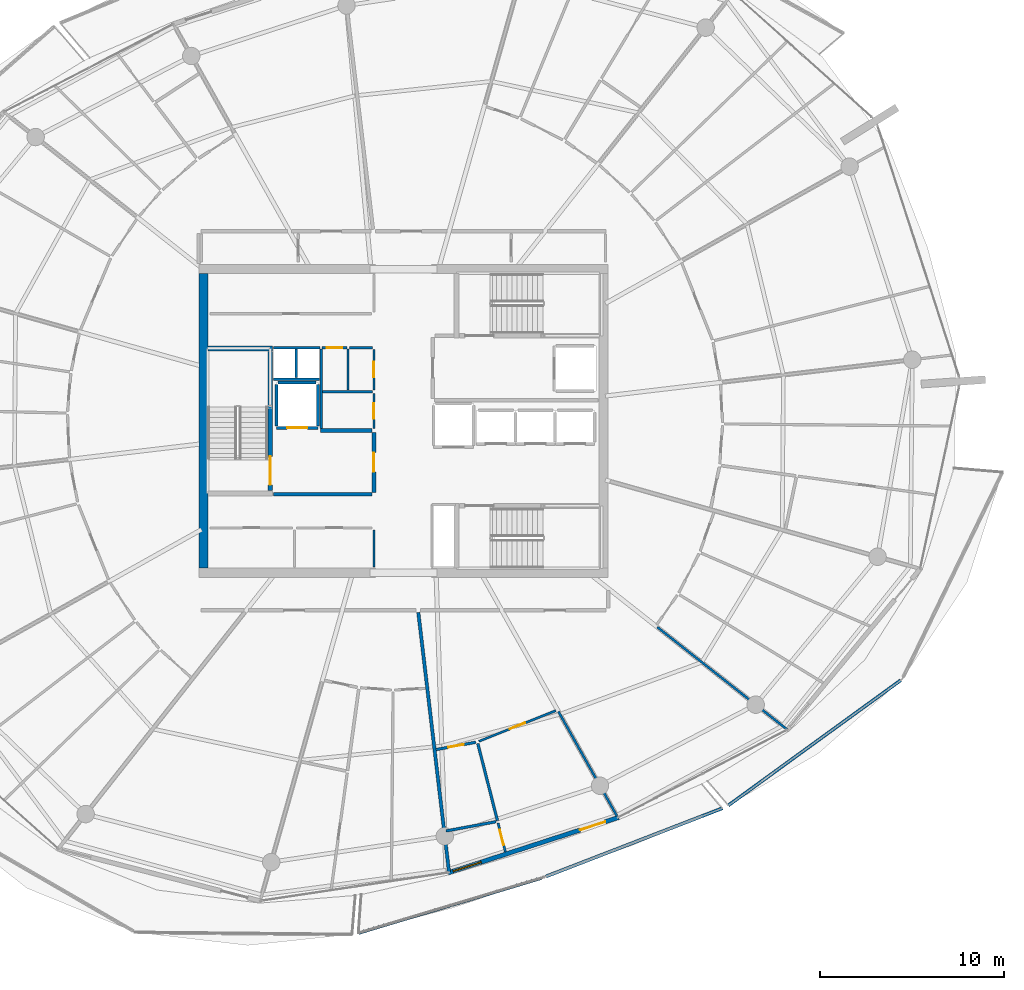
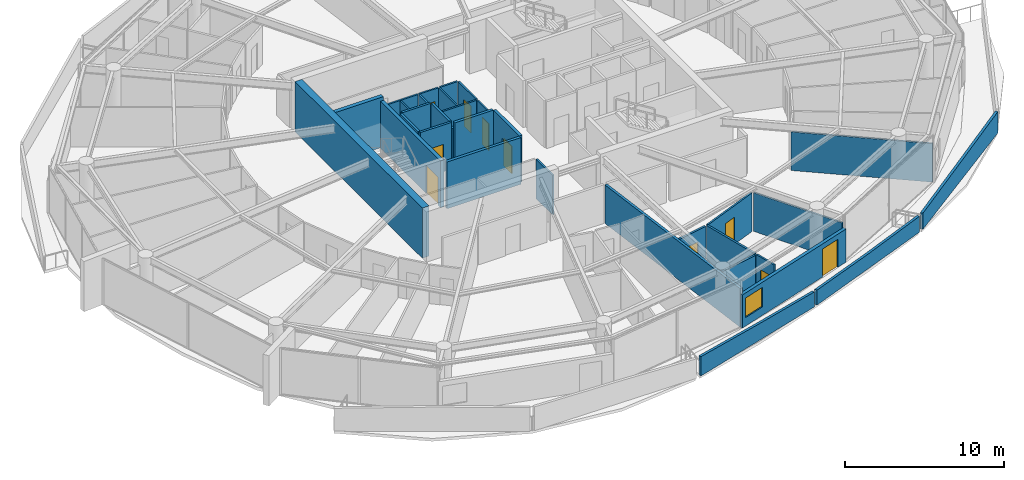
# One storey, part 19 of 31: 33 walls, 10 doors, 1 window, 11 openings.
"""IFC4 building model written with IfcOpenShell, lengths in metres."""

import ifcopenshell
import ifcopenshell.guid

model = None  # the IFC model being written
_history = None  # IfcOwnerHistory: only IFC2X3 demands one
_inside = {}  # id of a spatial element -> (the spatial element, [elements in it])
_under = {}  # id of a project, library or spatial element -> (it, [spatial elements below it])
_declared = {}  # id of a project -> (the project, [libraries it declares])
_typed = {}  # id of a type object -> (the type object, [elements of that type])
_made_of = {}  # id of a material, layer set ... -> (it, [elements and type objects made of it])


def new_model(schema):
    """Start an empty IFC model of exactly this schema.

    Asked for "IFC4X3", IfcOpenShell would pick the latest addendum, in which some entities
    have other attributes; the version numbers below select the first issue.
    IFC2X3 requires an IfcOwnerHistory on every rooted entity: one is made here for all.
    """
    global model, _history
    if schema == "IFC4X3":
        model = ifcopenshell.file(schema_version=(4, 3, 0, 0))
    else:
        model = ifcopenshell.file(schema=schema)
    _inside.clear()
    _under.clear()
    _declared.clear()
    _typed.clear()
    _made_of.clear()
    _history = None
    if model.schema == "IFC2X3":
        org = make("IfcOrganization", Name="unknown")
        user = make(
            "IfcPersonAndOrganization",
            ThePerson=make("IfcPerson", FamilyName="unknown"),
            TheOrganization=org,
        )
        app = make(
            "IfcApplication",
            ApplicationDeveloper=org,
            Version="unknown",
            ApplicationFullName="unknown",
            ApplicationIdentifier="unknown",
        )
        _history = make(
            "IfcOwnerHistory",
            OwningUser=user,
            OwningApplication=app,
            ChangeAction="ADDED",
            CreationDate=0,
        )
    return model


def make(cls, **values):
    """One entity of the class cls with the attributes given. An attribute that is None is left unset."""
    return model.create_entity(
        cls, **{name: value for name, value in values.items() if value is not None}
    )


def rooted(cls, **values):
    """An entity with a GlobalId (a new one), such as an element, a storey or a relation."""
    return make(cls, GlobalId=ifcopenshell.guid.new(), OwnerHistory=_history, **values)


def si_unit(unit_type, name, prefix=None):
    """IfcSIUnit, for example si_unit("LENGTHUNIT", "METRE", prefix="MILLI")."""
    return make("IfcSIUnit", UnitType=unit_type, Prefix=prefix, Name=name)


def assignment(units):
    """IfcUnitAssignment: the units of a project."""
    return None if units is None else make("IfcUnitAssignment", Units=units)


def point(xyz):
    """IfcCartesianPoint."""
    return None if xyz is None else make("IfcCartesianPoint", Coordinates=xyz)


def direction(xyz):
    """IfcDirection."""
    return None if xyz is None else make("IfcDirection", DirectionRatios=xyz)


def frame(location, z_axis=None, x_axis=None):
    """IfcAxis2Placement3D, a coordinate frame: its origin and axes. An axis left out is left unset."""
    return make(
        "IfcAxis2Placement3D",
        Location=point(location),
        Axis=direction(z_axis),
        RefDirection=direction(x_axis),
    )


def frame_2d(location, x_axis=None):
    """IfcAxis2Placement2D, a coordinate frame in the plane: its origin and x axis."""
    return make(
        "IfcAxis2Placement2D", Location=point(location), RefDirection=direction(x_axis)
    )


def origin():
    """The frame at (0, 0, 0) with its axes left unset."""
    return frame((0.0, 0.0, 0.0))


def place(relative_to, where):
    """IfcLocalPlacement: puts the frame where relative to a parent placement (None: the world)."""
    return make(
        "IfcLocalPlacement", PlacementRelTo=relative_to, RelativePlacement=where
    )


def context(
    kind, dimensions, precision=None, world=None, true_north=None, identifier=None
):
    """IfcGeometricRepresentationContext, for example the 3D "Model" context."""
    return make(
        "IfcGeometricRepresentationContext",
        ContextIdentifier=identifier,
        ContextType=kind,
        CoordinateSpaceDimension=dimensions,
        Precision=precision,
        WorldCoordinateSystem=world,
        TrueNorth=true_north,
    )


def subcontext(parent, identifier, kind, view, scale=None):
    """IfcGeometricRepresentationSubContext, for example "Body" below "Model"."""
    return make(
        "IfcGeometricRepresentationSubContext",
        ContextIdentifier=identifier,
        ContextType=kind,
        ParentContext=parent,
        TargetScale=scale,
        TargetView=view,
    )


def project(units=None, contexts=None):
    """IfcProject with its units and contexts."""
    return rooted(
        "IfcProject",
        Name="project",
        RepresentationContexts=contexts,
        UnitsInContext=assignment(units),
    )


def spatial(cls, under=None, at=None, **own):
    """A site, building, storey or space (cls), placed at a placement, below another one or the project."""
    s = rooted(cls, ObjectPlacement=at, **own)
    if under is not None:
        _under.setdefault(under.id(), (under, []))[1].append(s)
    return s


def polyline(points):
    """IfcPolyline through the points."""
    return make("IfcPolyline", Points=[point(p) for p in points])


def profile(cls, at=None, kind="AREA", **sizes):
    """A parametric profile (cls). Its sizes go by their IFC names, for example OverallWidth=200.0."""
    return make(cls, ProfileType=kind, Position=at, **sizes)


def rectangle(**sizes):
    """IfcRectangleProfileDef."""
    return profile("IfcRectangleProfileDef", **sizes)


def outline(outer, holes=None, kind="AREA"):
    """IfcArbitraryClosedProfileDef: a profile drawn as a closed curve; with holes, ...WithVoids."""
    if holes is None:
        return make("IfcArbitraryClosedProfileDef", ProfileType=kind, OuterCurve=outer)
    return make(
        "IfcArbitraryProfileDefWithVoids",
        ProfileType=kind,
        OuterCurve=outer,
        InnerCurves=holes,
    )


def extrude(swept, where, along, depth):
    """IfcExtrudedAreaSolid: the profile swept, set in the frame where, extruded along a direction by depth."""
    return make(
        "IfcExtrudedAreaSolid",
        SweptArea=swept,
        Position=where,
        ExtrudedDirection=direction(along),
        Depth=depth,
    )


def shape(context_of_items, identifier, shape_type, items):
    """IfcShapeRepresentation: the items that make up one representation, for example the "Body"."""
    return make(
        "IfcShapeRepresentation",
        ContextOfItems=context_of_items,
        RepresentationIdentifier=identifier,
        RepresentationType=shape_type,
        Items=items,
    )


def material(Name=None, Category=None):
    """IfcMaterial."""
    return make("IfcMaterial", Name=Name, Category=Category)


def layer(
    of_material, thickness, ventilated=None, Name=None, Category=None, Priority=None
):
    """IfcMaterialLayer: one layer of a wall or slab, of a material (None: an air gap)."""
    return make(
        "IfcMaterialLayer",
        Material=of_material,
        LayerThickness=thickness,
        IsVentilated=ventilated,
        Name=Name,
        Category=Category,
        Priority=Priority,
    )


def layer_set(layers, Name=None):
    """IfcMaterialLayerSet."""
    return make("IfcMaterialLayerSet", MaterialLayers=layers, LayerSetName=Name)


def made_of(thing, what):
    """Note that an element or type object is made of a material, layer set ...; save() writes the relation."""
    if what is not None:
        _made_of.setdefault(what.id(), (what, []))[1].append(thing)
    return thing


def type_object(cls, material=None, **own):
    """A type object (cls), such as IfcWallType, which elements share."""
    return made_of(rooted(cls, **own), material)


def element(
    cls,
    number,
    at=None,
    inside=None,
    cuts=None,
    type_object=None,
    material=None,
    context=None,
    identifier="Body",
    shape_type=None,
    held_by="IfcProductDefinitionShape",
    body=None,
    shapes=None,
    **own,
):
    """One element of the class cls, such as IfcWall. Its Tag is "e" and its number.

    at: its placement. inside: the storey or other place that contains it. cuts: it is an
    opening in that element (IfcRelVoidsElement). A single representation is given by context,
    identifier, shape_type and body (its items); several are given by shapes. held_by: the class
    of the entity that holds the representations. save() writes the other relations.
    """
    e = rooted(cls, Tag="e%d" % number, ObjectPlacement=at, **own)
    if body is not None:
        shapes = [shape(context, identifier, shape_type, body)]
    if shapes is not None:
        e.Representation = make(held_by, Representations=shapes)
    if inside is not None:
        _inside.setdefault(inside.id(), (inside, []))[1].append(e)
    if cuts is not None:
        rooted(
            "IfcRelVoidsElement", RelatingBuildingElement=cuts, RelatedOpeningElement=e
        )
    if type_object is not None:
        _typed.setdefault(type_object.id(), (type_object, []))[1].append(e)
    return made_of(e, material)


def fill(opening, filler):
    """IfcRelFillsElement: the door or window that sits in an opening."""
    return rooted(
        "IfcRelFillsElement",
        RelatingOpeningElement=opening,
        RelatedBuildingElement=filler,
    )


def aggregate(whole, parts):
    """IfcRelAggregates: a whole, such as a stair, and the parts it consists of."""
    return rooted("IfcRelAggregates", RelatingObject=whole, RelatedObjects=parts)


def save(model, path):
    """Write the relations noted so far, then the file.

    IfcRelAggregates (storeys below a building ...), IfcRelContainedInSpatialStructure (elements
    in a storey), IfcRelDefinesByType, IfcRelAssociatesMaterial and IfcRelDeclares: one each for
    every whole, place, type object, material and project.
    """
    for whole, parts in _under.values():
        aggregate(whole, parts)
    for where, things in _inside.values():
        rooted(
            "IfcRelContainedInSpatialStructure",
            RelatedElements=things,
            RelatingStructure=where,
        )
    for kind, things in _typed.values():
        rooted("IfcRelDefinesByType", RelatedObjects=things, RelatingType=kind)
    for what, things in _made_of.values():
        rooted("IfcRelAssociatesMaterial", RelatedObjects=things, RelatingMaterial=what)
    for by, libraries in _declared.values():
        rooted("IfcRelDeclares", RelatingContext=by, RelatedDefinitions=libraries)
    model.write(path)


model = new_model("IFC4")

# Units and contexts
model_context = context("Model", 3, precision=1e-05, world=origin(), true_north=direction((0.0, 1.0)))
body_context = subcontext(model_context, "Body", "Model", "MODEL_VIEW")
ifc_project = project(units=[si_unit("LENGTHUNIT", "METRE"), si_unit("AREAUNIT", "SQUARE_METRE"), si_unit("VOLUMEUNIT", "CUBIC_METRE"), si_unit("PLANEANGLEUNIT", "RADIAN"), si_unit("MASSUNIT", "GRAM", prefix="KILO")], contexts=[model_context])

# Site, building, storey
site_placement = place(None, origin())
site = spatial("IfcSite", under=ifc_project, at=site_placement, CompositionType="ELEMENT")
building_placement = place(site_placement, origin())
building = spatial("IfcBuilding", under=site, at=building_placement, Name="Kazma Halo Residences", CompositionType="ELEMENT")
storey_placement = place(building_placement, frame((0.0, 0.0, 275.199951171875)))
storey = spatial("IfcBuildingStorey", under=building, at=storey_placement, Name="L69", CompositionType="ELEMENT", Elevation=275.199951171875)

# Walls
ifc_material_1 = material(Name="White Concrete C50/60 Balustrade", Category="concrete")
ifc_layer_1 = layer(ifc_material_1, 0.179931640625)
ifc_layer_set_1 = layer_set([ifc_layer_1], Name="White Concrete C50/60 Balustrade")
wall_type_1 = type_object("IfcWallType", Name="WL-BAL-WAVE-180", PredefinedType="PARAPET", material=ifc_layer_set_1)
wall_1_placement = place(storey_placement, frame((45.980224609375, 14.16357421875, 0.0), z_axis=(0.0, 0.0, 1.0), x_axis=(0.957650459476, 0.287933321214, 0.0)))
element("IfcWall", 1, at=wall_1_placement, inside=storey, type_object=wall_type_1, Name="L69 white wave balustrade wall SSE.1", PredefinedType="PARAPET", context=body_context, shape_type="SweptSolid", body=[
    extrude(outline(polyline([(0.0, 0.0), (10.405517578125, 0.0), (10.405517578125, 1.14794921875), (5.20263671875, 1.283935546875), (0.0, 1.483154296875), (0.0, 0.0)])), frame((0.0, 0.08984375, 0.0), z_axis=(0.0, -1.0, 0.0), x_axis=(1.0, 0.0, 0.0)), (0.0, 0.0, 1.0), 0.179931640625),
])
wall_2_placement = place(storey_placement, frame((56.171875, 17.237548828125, 0.0), z_axis=(0.0, 0.0, 1.0), x_axis=(0.9326848715, 0.36069229334, 0.0)))
element("IfcWall", 2, at=wall_2_placement, inside=storey, type_object=wall_type_1, Name="L69 white wave balustrade wall SSE.2", PredefinedType="PARAPET", context=body_context, shape_type="SweptSolid", body=[
    extrude(outline(polyline([(0.0, 0.0), (10.281005859375, 0.0), (10.281005859375, 1.22412109375), (5.140380859375, 1.126953125), (0.0, 1.14794921875), (0.0, 0.0)])), frame((0.0, 0.08984375, 0.0), z_axis=(0.0, -1.0, 0.0), x_axis=(1.0, 0.0, 0.0)), (0.0, 0.0, 1.0), 0.179931640625),
])
wall_3_placement = place(storey_placement, frame((66.076416015625, 21.09521484375, 0.0), z_axis=(0.0, 0.0, 1.0), x_axis=(0.809261043527, 0.587449200722, 0.0)))
element("IfcWall", 3, at=wall_3_placement, inside=storey, type_object=wall_type_1, Name="L69 white wave balustrade wall SE.1", PredefinedType="PARAPET", context=body_context, shape_type="SweptSolid", body=[
    extrude(outline(polyline([(0.0, 0.0), (11.576904296875, 0.0), (11.576904296875, 1.632080078125), (5.788330078125, 1.41796875), (0.0, 1.233154296875), (0.0, 0.0)])), frame((0.0, 0.08984375, 0.0), z_axis=(0.0, -1.0, 0.0), x_axis=(1.0, 0.0, 0.0)), (0.0, 0.0, 1.0), 0.179931640625),
])
ifc_material_2 = material(Name="Concrete C60/75", Category="concrete")
ifc_layer_2 = layer(ifc_material_2, 0.5)
ifc_layer_set_2 = layer_set([ifc_layer_2], Name="Concrete C60/75")
wall_type_2 = type_object("IfcWallType", Name="WL-CORE-500", PredefinedType="SHEAR", material=ifc_layer_set_2)
wall_4_placement = place(storey_placement, frame((37.550048828125, 34.0, 0.0), z_axis=(0.0, 0.0, 1.0), x_axis=(0.0, 1.0, 0.0)))
element("IfcWall", 4, at=wall_4_placement, inside=storey, type_object=wall_type_2, Name="L69 central core shear wall W", PredefinedType="SHEAR", context=body_context, shape_type="SweptSolid", body=[
    extrude(rectangle(XDim=16.0, YDim=0.5, at=frame_2d((8.0, 0.0))), origin(), (0.0, 0.0, 1.0), 3.85009765625),
])
ifc_layer_3 = layer(ifc_material_2, 0.280029296875)
ifc_layer_set_3 = layer_set([ifc_layer_3], Name="Concrete C60/75")
wall_type_3 = type_object("IfcWallType", Name="WL-CORE-ST-280", PredefinedType="SHEAR", material=ifc_layer_set_3)
wall_5_placement = place(storey_placement, frame((37.800048828125, 45.93994140625, 0.0), z_axis=(0.0, 0.0, 1.0), x_axis=(1.0, 0.0, 0.0)))
element("IfcWall", 5, at=wall_5_placement, inside=storey, type_object=wall_type_3, Name="L69 stairwell bearing wall ST01-N", PredefinedType="SHEAR", context=body_context, shape_type="SweptSolid", body=[
    extrude(rectangle(XDim=3.5, YDim=0.280029296875, at=frame_2d((1.75, 0.0))), origin(), (0.0, 0.0, 1.0), 3.85009765625),
])
ifc_material_3 = material(Name="Acoustic Twin-Stud Gypsum")
ifc_layer_4 = layer(ifc_material_3, 0.179931640625)
ifc_layer_set_4 = layer_set([ifc_layer_4], Name="Acoustic Twin-Stud Gypsum")
wall_type_4 = type_object("IfcWallType", Name="WL-DEM-180", PredefinedType="PARTITIONING", material=ifc_layer_set_4)
wall_6_placement = place(storey_placement, frame((49.23193359375, 31.5908203125, 0.0), z_axis=(0.0, 0.0, 1.0), x_axis=(0.117545848714, -0.993067456646, 0.0)))
element("IfcWall", 6, at=wall_6_placement, inside=storey, type_object=wall_type_4, Name="L69 apartment demising radial wall 11", PredefinedType="PARTITIONING", context=body_context, shape_type="SweptSolid", body=[
    extrude(rectangle(XDim=14.212890625, YDim=0.179931640625, at=frame_2d((7.1064453125, 0.0))), origin(), (0.0, 0.0, 1.0), 2.95703125),
])

# Wall, openings, door, window
ifc_material_4 = material(Name="Insulated Pale-Metal Composite Wall")
ifc_layer_5 = layer(ifc_material_4, 0.239990234375)
ifc_layer_set_5 = layer_set([ifc_layer_5], Name="Insulated Pale-Metal Composite Wall")
wall_type_5 = type_object("IfcWallType", Name="WL-EXT-HOST-240", PredefinedType="SOLIDWALL", material=ifc_layer_set_5)
wall_7_placement = place(storey_placement, frame((50.85791015625, 17.436279296875, 0.0), z_axis=(0.0, 0.0, 1.0), x_axis=(0.951055974609, 0.309018661507, 0.0)))
wall_7 = element("IfcWall", 7, at=wall_7_placement, inside=storey, type_object=wall_type_5, Name="L69 exterior terrace-access wall B12", PredefinedType="SOLIDWALL", context=body_context, shape_type="SweptSolid", body=[
    extrude(rectangle(XDim=9.745361328125, YDim=0.239990234375, at=frame_2d((4.87255859375, 0.0))), origin(), (0.0, 0.0, 1.0), 2.5400390625),
])
opening_1_placement = place(wall_7_placement, frame((7.525390625, 0.0, 0.0)))
opening_1 = element("IfcOpeningElement", 8, at=opening_1_placement, cuts=wall_7, Name="Opening DTR-1600", PredefinedType="OPENING", context=body_context, shape_type="SweptSolid", body=[
    extrude(rectangle(XDim=1.449951171875, YDim=2.14990234375, at=frame_2d((0.72509765625, 1.074951171875))), frame((0.0, 0.1298828125, 0.0), z_axis=(0.0, -1.0, 0.0), x_axis=(1.0, 0.0, 0.0)), (0.0, 0.0, 1.0), 0.260009765625),
])
opening_2_placement = place(wall_7_placement, frame((0.280029296875, 0.0, 0.64990234375)))
opening_2 = element("IfcOpeningElement", 9, at=opening_2_placement, cuts=wall_7, Name="Opening W-1800", PredefinedType="OPENING", context=body_context, shape_type="SweptSolid", body=[
    extrude(rectangle(XDim=1.60009765625, YDim=1.5, at=frame_2d((0.800048828125, 0.75))), frame((0.0, 0.1298828125, 0.0), z_axis=(0.0, -1.0, 0.0), x_axis=(1.0, 0.0, 0.0)), (0.0, 0.0, 1.0), 0.260009765625),
])
ifc_material_5 = material(Name="Aluminium AW-6063 T6 Double-Glazed Terrace Door", Category="aluminium")
door_type_1 = type_object("IfcDoorType", Name="DR-EXT-TERR-1600", OperationType="NOTDEFINED", PredefinedType="DOOR", material=ifc_material_5)
door_1_placement = place(opening_1_placement, origin())
door_1 = element("IfcDoor", 10, at=door_1_placement, inside=storey, type_object=door_type_1, Name="L69 B12 balcony terrace door", OperationType="DOUBLE_DOOR_SLIDING", OverallHeight=2.14990234375, OverallWidth=1.449951171875, PredefinedType="DOOR", context=body_context, shape_type="SweptSolid", body=[
    extrude(rectangle(XDim=1.449951171875, YDim=2.14990234375, at=frame_2d((0.72509765625, 1.074951171875))), frame((0.0, 0.02490234375, 0.0), z_axis=(0.0, -1.0, 0.0), x_axis=(1.0, 0.0, 0.0)), (0.0, 0.0, 1.0), 0.050048828125),
])
fill(opening_1, door_1)
ifc_material_6 = material(Name="Clear Triple-Silver Low-E Glass in Aluminium AW-6063 T6 Frame", Category="aluminium")
window_type = type_object("IfcWindowType", Name="WIN-RES-1800", PartitioningType="DOUBLE_PANEL_VERTICAL", PredefinedType="WINDOW", material=ifc_material_6)
window_placement = place(opening_2_placement, origin())
window = element("IfcWindow", 11, at=window_placement, inside=storey, type_object=window_type, Name="L69 B12 apartment window", OverallHeight=1.5, OverallWidth=1.60009765625, PartitioningType="SINGLE_PANEL", PredefinedType="WINDOW", context=body_context, shape_type="SweptSolid", body=[
    extrude(rectangle(XDim=1.60009765625, YDim=1.5, at=frame_2d((0.800048828125, 0.75))), frame((0.0, 0.030029296875, 0.0), z_axis=(0.0, -1.0, 0.0), x_axis=(1.0, 0.0, 0.0)), (0.0, 0.0, 1.0), 0.06005859375),
])
fill(opening_2, window)

# Wall, opening, door
ifc_material_7 = material(Name="Fire-Rated Blockwork Masonry", Category="masonry")
ifc_layer_6 = layer(ifc_material_7, 0.199951171875)
ifc_layer_set_6 = layer_set([ifc_layer_6], Name="Fire-Rated Blockwork Masonry")
wall_type_6 = type_object("IfcWallType", Name="WL-FLB-200", PredefinedType="PARTITIONING", material=ifc_layer_set_6)
wall_8_placement = place(storey_placement, frame((43.780029296875, 41.6201171875, 0.0), z_axis=(0.0, 0.0, 1.0), x_axis=(-1.0, 0.0, 0.0)))
wall_8 = element("IfcWall", 12, at=wall_8_placement, inside=storey, type_object=wall_type_6, Name="L69 lift shaft FL-01 front wall", PredefinedType="PARTITIONING", context=body_context, shape_type="SweptSolid", body=[
    extrude(rectangle(XDim=2.260009765625, YDim=0.159912109375, at=frame_2d((1.1298828125, 0.0))), origin(), (0.0, 0.0, 1.0), 3.590087890625),
])
opening_3_placement = place(wall_8_placement, frame((0.580078125, 0.0, 0.0)))
opening_3 = element("IfcOpeningElement", 13, at=opening_3_placement, cuts=wall_8, Name="Opening LD-FL-01", PredefinedType="OPENING", context=body_context, shape_type="SweptSolid", body=[
    extrude(rectangle(XDim=1.10009765625, YDim=2.10009765625, at=frame_2d((0.550048828125, 1.050048828125))), frame((0.0, 0.08984375, 0.0), z_axis=(0.0, -1.0, 0.0), x_axis=(1.0, 0.0, 0.0)), (0.0, 0.0, 1.0), 0.179931640625),
])
ifc_material_8 = material(Name="Stainless Steel Fire-Rated", Category="steel")
door_type_2 = type_object("IfcDoorType", Name="DR-LIFT-SLD-1100", OperationType="DOUBLE_DOOR_SLIDING", PredefinedType="DOOR", material=ifc_material_8)
door_2_placement = place(opening_3_placement, origin())
door_2 = element("IfcDoor", 14, at=door_2_placement, inside=storey, type_object=door_type_2, Name="L69 lift FL-01 sliding landing door", OperationType="DOUBLE_DOOR_SLIDING", OverallHeight=2.10009765625, OverallWidth=1.10009765625, PredefinedType="DOOR", context=body_context, shape_type="SweptSolid", body=[
    extrude(rectangle(XDim=1.10009765625, YDim=2.10009765625, at=frame_2d((0.550048828125, 1.050048828125))), frame((0.0, 0.02490234375, 0.0), z_axis=(0.0, -1.0, 0.0), x_axis=(1.0, 0.0, 0.0)), (0.0, 0.0, 1.0), 0.050048828125),
])
fill(opening_3, door_2)

# Walls
for number, where, z_axis, x_axis, name in (
    (15, (43.780029296875, 41.719970703125, 0.0), (0.0, 0.0, 1.0), (0.0, 1.0, 0.0), "L69 lift shaft FL-01 side wall E"),
    (16, (41.52001953125, 41.719970703125, 0.0), (0.0, 0.0, 1.0), (0.0, 1.0, 0.0), "L69 lift shaft FL-01 side wall W"),
):
    element("IfcWall", number, at=place(storey_placement, frame(where, z_axis=z_axis, x_axis=x_axis)), inside=storey, type_object=wall_type_6, Name=name, PredefinedType="PARTITIONING", context=body_context, shape_type="SweptSolid", body=[
        extrude(rectangle(XDim=2.260009765625, YDim=0.159912109375, at=frame_2d((1.1298828125, 0.0))), origin(), (0.0, 0.0, 1.0), 3.590087890625),
    ])
wall_9_placement = place(storey_placement, frame((41.6201171875, 44.080078125, 0.0), z_axis=(0.0, 0.0, 1.0), x_axis=(1.0, 0.0, 0.0)))
element("IfcWall", 17, at=wall_9_placement, inside=storey, type_object=wall_type_6, Name="L69 lift shaft FL-01 side wall N", PredefinedType="PARTITIONING", context=body_context, shape_type="SweptSolid", body=[
    extrude(rectangle(XDim=2.059814453125, YDim=0.159912109375, at=frame_2d((1.02978515625, 0.0))), origin(), (0.0, 0.0, 1.0), 3.590087890625),
])
wall_10_placement = place(storey_placement, frame((41.35009765625, 38.02001953125, 0.0), z_axis=(0.0, 0.0, 1.0), x_axis=(1.0, 0.0, 0.0)))
element("IfcWall", 18, at=wall_10_placement, inside=storey, type_object=wall_type_6, Name="L69 west firefighting lobby south smoke wall", PredefinedType="PARTITIONING", context=body_context, shape_type="SweptSolid", body=[
    extrude(rectangle(XDim=5.369873046875, YDim=0.199951171875, at=frame_2d((2.68505859375, 0.0))), origin(), (0.0, 0.0, 1.0), 3.590087890625),
])
wall_11_placement = place(storey_placement, frame((43.919921875, 41.47998046875, 0.0), z_axis=(0.0, 0.0, 1.0), x_axis=(1.0, 0.0, 0.0)))
element("IfcWall", 19, at=wall_11_placement, inside=storey, type_object=wall_type_6, Name="L69 west firefighting lobby north smoke wall", PredefinedType="PARTITIONING", context=body_context, shape_type="SweptSolid", body=[
    extrude(rectangle(XDim=2.800048828125, YDim=0.199951171875, at=frame_2d((1.39990234375, 0.0))), origin(), (0.0, 0.0, 1.0), 3.590087890625),
])

# Wall, opening, door
wall_12_placement = place(storey_placement, frame((46.820068359375, 38.1201171875, 0.0), z_axis=(0.0, 0.0, 1.0), x_axis=(0.0, 1.0, 0.0)))
wall_12 = element("IfcWall", 20, at=wall_12_placement, inside=storey, type_object=wall_type_6, Name="L69 west firefighting lobby smoke wall", PredefinedType="PARTITIONING", context=body_context, shape_type="SweptSolid", body=[
    extrude(rectangle(XDim=3.259765625, YDim=0.199951171875, at=frame_2d((1.6298828125, 0.0))), origin(), (0.0, 0.0, 1.0), 3.590087890625),
])
opening_4_placement = place(wall_12_placement, frame((1.10498046875, 0.0, 0.0)))
opening_4 = element("IfcOpeningElement", 21, at=opening_4_placement, cuts=wall_12, Name="Opening D-FLW", PredefinedType="OPENING", context=body_context, shape_type="SweptSolid", body=[
    extrude(rectangle(XDim=1.050048828125, YDim=2.10009765625, at=frame_2d((0.52490234375, 1.050048828125))), frame((0.0, 0.10986328125, 0.0), z_axis=(0.0, -1.0, 0.0), x_axis=(1.0, 0.0, 0.0)), (0.0, 0.0, 1.0), 0.219970703125),
])
ifc_material_9 = material(Name="Fire-Rated Steel Leaf", Category="steel")
door_type_3 = type_object("IfcDoorType", Name="DR-FD90-1050", OperationType="NOTDEFINED", PredefinedType="DOOR", material=ifc_material_9)
door_3_placement = place(opening_4_placement, origin())
door_3 = element("IfcDoor", 22, at=door_3_placement, inside=storey, type_object=door_type_3, Name="L69 west firefighting lobby smoke door", OperationType="SINGLE_SWING_RIGHT", OverallHeight=2.10009765625, OverallWidth=1.050048828125, PredefinedType="DOOR", context=body_context, shape_type="SweptSolid", body=[
    extrude(rectangle(XDim=1.050048828125, YDim=2.10009765625, at=frame_2d((0.52490234375, 1.050048828125))), frame((0.0, 0.02490234375, 0.0), z_axis=(0.0, -1.0, 0.0), x_axis=(1.0, 0.0, 0.0)), (0.0, 0.0, 1.0), 0.050048828125),
])
fill(opening_4, door_3)

# Walls
ifc_material_10 = material(Name="Gypsum Plasterboard Partition")
ifc_layer_7 = layer(ifc_material_10, 0.125)
ifc_layer_set_7 = layer_set([ifc_layer_7], Name="Gypsum Plasterboard Partition")
wall_type_7 = type_object("IfcWallType", Name="WL-PART-125", PredefinedType="PARTITIONING", material=ifc_layer_set_7)
wall_13_placement = place(storey_placement, frame((46.820068359375, 34.050048828125, 0.0), z_axis=(0.0, 0.0, 1.0), x_axis=(0.0, 1.0, 0.0)))
element("IfcWall", 23, at=wall_13_placement, inside=storey, type_object=wall_type_7, Name="L69 reclaimed south east wall", PredefinedType="PARTITIONING", context=body_context, shape_type="SweptSolid", body=[
    extrude(rectangle(XDim=2.030029296875, YDim=0.125, at=frame_2d((1.01513671875, 0.0))), origin(), (0.0, 0.0, 1.0), 3.030029296875),
])
wall_14_placement = place(storey_placement, frame((41.360107421875, 44.260009765625, 0.0), z_axis=(0.0, 0.0, 1.0), x_axis=(1.0, 0.0, 0.0)))
element("IfcWall", 24, at=wall_14_placement, inside=storey, type_object=wall_type_7, Name="L69 core riser south wall", PredefinedType="PARTITIONING", context=body_context, shape_type="SweptSolid", body=[
    extrude(rectangle(XDim=2.5, YDim=0.125, at=frame_2d((1.25, 0.0))), origin(), (0.0, 0.0, 1.0), 3.030029296875),
])
wall_15_placement = place(storey_placement, frame((42.60009765625, 44.35009765625, 0.0), z_axis=(0.0, 0.0, 1.0), x_axis=(0.0, 1.0, 0.0)))
element("IfcWall", 25, at=wall_15_placement, inside=storey, type_object=wall_type_7, Name="L69 core riser divider wall", PredefinedType="PARTITIONING", context=body_context, shape_type="SweptSolid", body=[
    extrude(rectangle(XDim=1.5498046875, YDim=0.125, at=frame_2d((0.77490234375, 0.0))), origin(), (0.0, 0.0, 1.0), 3.030029296875),
])
wall_16_placement = place(storey_placement, frame((43.949951171875, 41.580078125, 0.0), z_axis=(0.0, 0.0, 1.0), x_axis=(0.0, 1.0, 0.0)))
element("IfcWall", 26, at=wall_16_placement, inside=storey, type_object=wall_type_7, Name="L69 core service west wall", PredefinedType="PARTITIONING", context=body_context, shape_type="SweptSolid", body=[
    extrude(rectangle(XDim=4.31982421875, YDim=0.125, at=frame_2d((2.159912109375, 0.0))), origin(), (0.0, 0.0, 1.0), 3.030029296875),
])
wall_17_placement = place(storey_placement, frame((44.030029296875, 43.590087890625, 0.0), z_axis=(0.0, 0.0, 1.0), x_axis=(1.0, 0.0, 0.0)))
element("IfcWall", 27, at=wall_17_placement, inside=storey, type_object=wall_type_7, Name="L69 core service horiz divider", PredefinedType="PARTITIONING", context=body_context, shape_type="SweptSolid", body=[
    extrude(rectangle(XDim=2.7099609375, YDim=0.125, at=frame_2d((1.35498046875, 0.0))), origin(), (0.0, 0.0, 1.0), 3.030029296875),
])
wall_18_placement = place(storey_placement, frame((45.409912109375, 43.669921875, 0.0), z_axis=(0.0, 0.0, 1.0), x_axis=(0.0, 1.0, 0.0)))
element("IfcWall", 28, at=wall_18_placement, inside=storey, type_object=wall_type_7, Name="L69 core service vert divider", PredefinedType="PARTITIONING", context=body_context, shape_type="SweptSolid", body=[
    extrude(rectangle(XDim=2.22998046875, YDim=0.125, at=frame_2d((1.114990234375, 0.0))), origin(), (0.0, 0.0, 1.0), 3.030029296875),
])

# Wall, opening, door
wall_19_placement = place(storey_placement, frame((46.820068359375, 41.580078125, 0.0), z_axis=(0.0, 0.0, 1.0), x_axis=(0.0, 1.0, 0.0)))
wall_19 = element("IfcWall", 29, at=wall_19_placement, inside=storey, type_object=wall_type_7, Name="L69 refuse room east wall", PredefinedType="PARTITIONING", context=body_context, shape_type="SweptSolid", body=[
    extrude(rectangle(XDim=1.909912109375, YDim=0.125, at=frame_2d((0.955078125, 0.0))), origin(), (0.0, 0.0, 1.0), 3.030029296875),
])
opening_5_placement = place(wall_19_placement, frame((0.530029296875, 0.0, 0.0)))
opening_5 = element("IfcOpeningElement", 30, at=opening_5_placement, cuts=wall_19, Name="Opening DS-850", PredefinedType="OPENING", context=body_context, shape_type="SweptSolid", body=[
    extrude(rectangle(XDim=0.85009765625, YDim=2.06005859375, at=frame_2d((0.425048828125, 1.030029296875))), frame((0.0, 0.072509765625, 0.0), z_axis=(0.0, -1.0, 0.0), x_axis=(1.0, 0.0, 0.0)), (0.0, 0.0, 1.0), 0.14501953125),
])
ifc_material_11 = material(Name="Painted Steel Access Leaf", Category="steel")
door_type_4 = type_object("IfcDoorType", Name="DR-SVC-850", OperationType="NOTDEFINED", PredefinedType="DOOR", material=ifc_material_11)
door_4_placement = place(opening_5_placement, origin())
door_4 = element("IfcDoor", 31, at=door_4_placement, inside=storey, type_object=door_type_4, Name="L69 refuse room door", OperationType="SINGLE_SWING_RIGHT", OverallHeight=2.06005859375, OverallWidth=0.85009765625, PredefinedType="DOOR", context=body_context, shape_type="SweptSolid", body=[
    extrude(rectangle(XDim=0.85009765625, YDim=2.06005859375, at=frame_2d((0.425048828125, 1.030029296875))), frame((0.0, 0.02490234375, 0.0), z_axis=(0.0, -1.0, 0.0), x_axis=(1.0, 0.0, 0.0)), (0.0, 0.0, 1.0), 0.050048828125),
])
fill(opening_5, door_4)

wall_20_placement = place(storey_placement, frame((46.820068359375, 43.68994140625, 0.0), z_axis=(0.0, 0.0, 1.0), x_axis=(0.0, 1.0, 0.0)))
wall_20 = element("IfcWall", 32, at=wall_20_placement, inside=storey, type_object=wall_type_7, Name="L69 sub-metering east wall", PredefinedType="PARTITIONING", context=body_context, shape_type="SweptSolid", body=[
    extrude(rectangle(XDim=2.18994140625, YDim=0.125, at=frame_2d((1.094970703125, 0.0))), origin(), (0.0, 0.0, 1.0), 3.030029296875),
])
opening_6_placement = place(wall_20_placement, frame((0.669921875, 0.0, 0.0)))
opening_6 = element("IfcOpeningElement", 33, at=opening_6_placement, cuts=wall_20, Name="Opening DS-850", PredefinedType="OPENING", context=body_context, shape_type="SweptSolid", body=[
    extrude(rectangle(XDim=0.85009765625, YDim=2.06005859375, at=frame_2d((0.425048828125, 1.030029296875))), frame((0.0, 0.072509765625, 0.0), z_axis=(0.0, -1.0, 0.0), x_axis=(1.0, 0.0, 0.0)), (0.0, 0.0, 1.0), 0.14501953125),
])
door_5_placement = place(opening_6_placement, origin())
door_5 = element("IfcDoor", 34, at=door_5_placement, inside=storey, type_object=door_type_4, Name="L69 sub-metering door", OperationType="SINGLE_SWING_LEFT", OverallHeight=2.06005859375, OverallWidth=0.85009765625, PredefinedType="DOOR", context=body_context, shape_type="SweptSolid", body=[
    extrude(rectangle(XDim=0.85009765625, YDim=2.06005859375, at=frame_2d((0.425048828125, 1.030029296875))), frame((0.0, 0.02490234375, 0.0), z_axis=(0.0, -1.0, 0.0), x_axis=(1.0, 0.0, 0.0)), (0.0, 0.0, 1.0), 0.050048828125),
])
fill(opening_6, door_5)

# Wall
wall_21_placement = place(storey_placement, frame((41.35009765625, 45.97998046875, 0.0), z_axis=(0.0, 0.0, 1.0), x_axis=(1.0, 0.0, 0.0)))
element("IfcWall", 35, at=wall_21_placement, inside=storey, type_object=wall_type_7, Name="L69 core riser NW wall", PredefinedType="PARTITIONING", context=body_context, shape_type="SweptSolid", body=[
    extrude(rectangle(XDim=2.52978515625, YDim=0.125, at=frame_2d((1.264892578125, 0.0))), origin(), (0.0, 0.0, 1.0), 3.030029296875),
])

# Wall, opening, door
wall_22_placement = place(storey_placement, frame((43.989990234375, 45.97998046875, 0.0), z_axis=(0.0, 0.0, 1.0), x_axis=(1.0, 0.0, 0.0)))
wall_22 = element("IfcWall", 36, at=wall_22_placement, inside=storey, type_object=wall_type_7, Name="L69 cleaners cupboard north wall", PredefinedType="PARTITIONING", context=body_context, shape_type="SweptSolid", body=[
    extrude(rectangle(XDim=1.380126953125, YDim=0.125, at=frame_2d((0.68994140625, 0.0))), origin(), (0.0, 0.0, 1.0), 3.030029296875),
])
opening_7_placement = place(wall_22_placement, frame((0.264892578125, 0.0, 0.0)))
opening_7 = element("IfcOpeningElement", 37, at=opening_7_placement, cuts=wall_22, Name="Opening DS-850", PredefinedType="OPENING", context=body_context, shape_type="SweptSolid", body=[
    extrude(rectangle(XDim=0.85009765625, YDim=2.06005859375, at=frame_2d((0.425048828125, 1.030029296875))), frame((0.0, 0.072509765625, 0.0), z_axis=(0.0, -1.0, 0.0), x_axis=(1.0, 0.0, 0.0)), (0.0, 0.0, 1.0), 0.14501953125),
])
door_6_placement = place(opening_7_placement, origin())
door_6 = element("IfcDoor", 38, at=door_6_placement, inside=storey, type_object=door_type_4, Name="L69 cleaners cupboard door", OperationType="SINGLE_SWING_RIGHT", OverallHeight=2.06005859375, OverallWidth=0.85009765625, PredefinedType="DOOR", context=body_context, shape_type="SweptSolid", body=[
    extrude(rectangle(XDim=0.85009765625, YDim=2.06005859375, at=frame_2d((0.425048828125, 1.030029296875))), frame((0.0, 0.02490234375, 0.0), z_axis=(0.0, -1.0, 0.0), x_axis=(1.0, 0.0, 0.0)), (0.0, 0.0, 1.0), 0.050048828125),
])
fill(opening_7, door_6)

# Walls
wall_23_placement = place(storey_placement, frame((45.47998046875, 45.97998046875, 0.0), z_axis=(0.0, 0.0, 1.0), x_axis=(1.0, 0.0, 0.0)))
element("IfcWall", 39, at=wall_23_placement, inside=storey, type_object=wall_type_7, Name="L69 sub-metering north wall", PredefinedType="PARTITIONING", context=body_context, shape_type="SweptSolid", body=[
    extrude(rectangle(XDim=1.260009765625, YDim=0.125, at=frame_2d((0.6298828125, 0.0))), origin(), (0.0, 0.0, 1.0), 3.030029296875),
])
wall_24_placement = place(storey_placement, frame((56.846923828125, 26.20263671875, 0.0), z_axis=(0.0, 0.0, 1.0), x_axis=(0.488636594114, -0.872487409017, 0.0)))
element("IfcWall", 40, at=wall_24_placement, inside=storey, type_object=wall_type_7, Name="L69 Apartment 3 living radial partition 11", PredefinedType="PARTITIONING", context=body_context, shape_type="SweptSolid", body=[
    extrude(rectangle(XDim=6.48876953125, YDim=0.125, at=frame_2d((3.244384765625, 0.0))), origin(), (0.0, 0.0, 1.0), 2.95703125),
])

# Wall, opening, door
wall_25_placement = place(storey_placement, frame((53.5654296875, 20.1455078125, 0.0), z_axis=(0.0, 0.0, 1.0), x_axis=(0.24689818157, -0.969041427359, 0.0)))
wall_25 = element("IfcWall", 41, at=wall_25_placement, inside=storey, type_object=wall_type_7, Name="L69 Apartment 3 Utility Laundry Room partition wall", PredefinedType="PARTITIONING", context=body_context, shape_type="SweptSolid", body=[
    extrude(rectangle(XDim=1.61865234375, YDim=0.125, at=frame_2d((0.809326171875, 0.0))), origin(), (0.0, 0.0, 1.0), 3.030029296875),
])
opening_8_placement = place(wall_25_placement, frame((0.384521484375, 0.0, 0.0)))
opening_8 = element("IfcOpeningElement", 42, at=opening_8_placement, cuts=wall_25, Name="Opening DB-900", PredefinedType="OPENING", context=body_context, shape_type="SweptSolid", body=[
    extrude(rectangle(XDim=0.85009765625, YDim=2.06005859375, at=frame_2d((0.425048828125, 1.030029296875))), frame((0.0, 0.072509765625, 0.0), z_axis=(0.0, -1.0, 0.0), x_axis=(1.0, 0.0, 0.0)), (0.0, 0.0, 1.0), 0.14501953125),
])
ifc_material_12 = material(Name="Moisture-Sealed Timber Leaf", Category="wood")
door_type_5 = type_object("IfcDoorType", Name="DR-BTH-900", OperationType="NOTDEFINED", PredefinedType="DOOR", material=ifc_material_12)
door_7_placement = place(opening_8_placement, origin())
door_7 = element("IfcDoor", 43, at=door_7_placement, inside=storey, type_object=door_type_5, Name="L69 Apartment 3 Utility Laundry Room door", OperationType="SINGLE_SWING_RIGHT", OverallHeight=2.06005859375, OverallWidth=0.85009765625, PredefinedType="DOOR", context=body_context, shape_type="SweptSolid", body=[
    extrude(rectangle(XDim=0.85009765625, YDim=2.06005859375, at=frame_2d((0.425048828125, 1.030029296875))), frame((0.0, 0.02490234375, 0.0), z_axis=(0.0, -1.0, 0.0), x_axis=(1.0, 0.0, 0.0)), (0.0, 0.0, 1.0), 0.050048828125),
])
fill(opening_8, door_7)

wall_26_placement = place(storey_placement, frame((52.52734375, 24.584228515625, 0.0), z_axis=(0.0, 0.0, 1.0), x_axis=(0.928678664633, 0.370885343274, 0.0)))
wall_26 = element("IfcWall", 44, at=wall_26_placement, inside=storey, type_object=wall_type_7, Name="L69 Apartment 3 Gourmet Kitchen hall wall", PredefinedType="PARTITIONING", context=body_context, shape_type="SweptSolid", body=[
    extrude(rectangle(XDim=4.49853515625, YDim=0.125, at=frame_2d((2.249267578125, 0.0))), origin(), (0.0, 0.0, 1.0), 2.95703125),
])
opening_9_placement = place(wall_26_placement, frame((1.79931640625, 0.0, 0.0)))
opening_9 = element("IfcOpeningElement", 45, at=opening_9_placement, cuts=wall_26, Name="Opening DI-950", PredefinedType="OPENING", context=body_context, shape_type="SweptSolid", body=[
    extrude(rectangle(XDim=0.89990234375, YDim=2.080078125, at=frame_2d((0.449951171875, 1.0400390625))), frame((0.0, 0.072509765625, 0.0), z_axis=(0.0, -1.0, 0.0), x_axis=(1.0, 0.0, 0.0)), (0.0, 0.0, 1.0), 0.14501953125),
])
ifc_material_13 = material(Name="Timber Veneer Flush Leaf", Category="wood")
door_type_6 = type_object("IfcDoorType", Name="DR-INT-950", OperationType="NOTDEFINED", PredefinedType="DOOR", material=ifc_material_13)
door_8_placement = place(opening_9_placement, origin())
door_8 = element("IfcDoor", 46, at=door_8_placement, inside=storey, type_object=door_type_6, Name="L69 Apartment 3 Gourmet Kitchen door", OperationType="SINGLE_SWING_LEFT", OverallHeight=2.080078125, OverallWidth=0.89990234375, PredefinedType="DOOR", context=body_context, shape_type="SweptSolid", body=[
    extrude(rectangle(XDim=0.89990234375, YDim=2.080078125, at=frame_2d((0.449951171875, 1.0400390625))), frame((0.0, 0.02490234375, 0.0), z_axis=(0.0, -1.0, 0.0), x_axis=(1.0, 0.0, 0.0)), (0.0, 0.0, 1.0), 0.050048828125),
])
fill(opening_9, door_8)

# Wall
wall_27_placement = place(storey_placement, frame((62.218994140625, 30.790771484375, 0.0), z_axis=(0.0, 0.0, 1.0), x_axis=(0.785316198055, -0.619094878893, 0.0)))
element("IfcWall", 47, at=wall_27_placement, inside=storey, type_object=wall_type_7, Name="L69 Apartment 3 radial partition 13", PredefinedType="PARTITIONING", context=body_context, shape_type="SweptSolid", body=[
    extrude(rectangle(XDim=8.978515625, YDim=0.125, at=frame_2d((4.4892578125, 0.0))), origin(), (0.0, 0.0, 1.0), 2.95703125),
])

# Wall, opening, door
ifc_material_14 = material(Name="Concrete C50/60", Category="concrete")
ifc_layer_8 = layer(ifc_material_14, 0.25)
ifc_layer_set_8 = layer_set([ifc_layer_8], Name="Concrete C50/60")
wall_type_8 = type_object("IfcWallType", Name="WL-SHF-250", PredefinedType="SOLIDWALL", material=ifc_layer_set_8)
wall_28_placement = place(storey_placement, frame((41.179931640625, 38.219970703125, 0.0), z_axis=(0.0, 0.0, 1.0), x_axis=(0.0, 1.0, 0.0)))
wall_28 = element("IfcWall", 48, at=wall_28_placement, inside=storey, type_object=wall_type_8, Name="L69 exit stair ST-01 enclosure wall", PredefinedType="SOLIDWALL", context=body_context, shape_type="SweptSolid", body=[
    extrude(rectangle(XDim=7.56005859375, YDim=0.25, at=frame_2d((3.780029296875, 0.0))), origin(), (0.0, 0.0, 1.0), 3.590087890625),
])
opening_10_placement = place(wall_28_placement, frame((0.300048828125, 0.0, 0.0)))
opening_10 = element("IfcOpeningElement", 49, at=opening_10_placement, cuts=wall_28, Name="Opening D-ST1", PredefinedType="OPENING", context=body_context, shape_type="SweptSolid", body=[
    extrude(rectangle(XDim=1.550048828125, YDim=2.14990234375, at=frame_2d((0.77490234375, 1.074951171875))), frame((0.0, 0.135009765625, 0.0), z_axis=(0.0, -1.0, 0.0), x_axis=(1.0, 0.0, 0.0)), (0.0, 0.0, 1.0), 0.27001953125),
])
ifc_material_15 = material(Name="Fire-Rated Double Steel Leaf", Category="steel")
door_type_7 = type_object("IfcDoorType", Name="DR-FD90-1550", OperationType="NOTDEFINED", PredefinedType="DOOR", material=ifc_material_15)
door_9_placement = place(opening_10_placement, origin())
door_9 = element("IfcDoor", 50, at=door_9_placement, inside=storey, type_object=door_type_7, Name="L69 exit stair ST-01 fire door", OperationType="DOUBLE_DOOR_SINGLE_SWING", OverallHeight=2.14990234375, OverallWidth=1.550048828125, PredefinedType="DOOR", context=body_context, shape_type="SweptSolid", body=[
    extrude(rectangle(XDim=1.550048828125, YDim=2.14990234375, at=frame_2d((0.77490234375, 1.074951171875))), frame((0.0, 0.02490234375, 0.0), z_axis=(0.0, -1.0, 0.0), x_axis=(1.0, 0.0, 0.0)), (0.0, 0.0, 1.0), 0.050048828125),
])
fill(opening_10, door_9)

ifc_material_16 = material(Name="Moisture-Resistant Gypsum")
ifc_layer_9 = layer(ifc_material_16, 0.14990234375)
ifc_layer_set_9 = layer_set([ifc_layer_9], Name="Moisture-Resistant Gypsum")
wall_type_9 = type_object("IfcWallType", Name="WL-WET-150", PredefinedType="PARTITIONING", material=ifc_layer_set_9)
wall_29_placement = place(storey_placement, frame((50.214599609375, 24.13720703125, 0.0), z_axis=(0.0, 0.0, 1.0), x_axis=(0.983215758485, 0.182446628542, 0.0)))
wall_29 = element("IfcWall", 51, at=wall_29_placement, inside=storey, type_object=wall_type_9, Name="L69 Apartment 3 Guest Bathroom hall wall", PredefinedType="PARTITIONING", context=body_context, shape_type="SweptSolid", body=[
    extrude(rectangle(XDim=2.17724609375, YDim=0.14990234375, at=frame_2d((1.088623046875, 0.0))), origin(), (0.0, 0.0, 1.0), 2.95703125),
])
opening_11_placement = place(wall_29_placement, frame((0.66357421875, 0.0, 0.0)))
opening_11 = element("IfcOpeningElement", 52, at=opening_11_placement, cuts=wall_29, Name="Opening DB-900", PredefinedType="OPENING", context=body_context, shape_type="SweptSolid", body=[
    extrude(rectangle(XDim=0.85009765625, YDim=2.06005859375, at=frame_2d((0.425048828125, 1.030029296875))), frame((0.0, 0.0849609375, 0.0), z_axis=(0.0, -1.0, 0.0), x_axis=(1.0, 0.0, 0.0)), (0.0, 0.0, 1.0), 0.169921875),
])
door_10_placement = place(opening_11_placement, origin())
door_10 = element("IfcDoor", 53, at=door_10_placement, inside=storey, type_object=door_type_5, Name="L69 Apartment 3 Guest Bathroom door", OperationType="SINGLE_SWING_LEFT", OverallHeight=2.06005859375, OverallWidth=0.85009765625, PredefinedType="DOOR", context=body_context, shape_type="SweptSolid", body=[
    extrude(rectangle(XDim=0.85009765625, YDim=2.06005859375, at=frame_2d((0.425048828125, 1.030029296875))), frame((0.0, 0.02490234375, 0.0), z_axis=(0.0, -1.0, 0.0), x_axis=(1.0, 0.0, 0.0)), (0.0, 0.0, 1.0), 0.050048828125),
])
fill(opening_11, door_10)

# Walls
wall_30_placement = place(storey_placement, frame((50.73828125, 19.7119140625, 0.0), z_axis=(0.0, 0.0, 1.0), x_axis=(0.983195760322, 0.18255436693, 0.0)))
element("IfcWall", 54, at=wall_30_placement, inside=storey, type_object=wall_type_9, Name="L69 Apartment 3 Guest Bathroom back wall", PredefinedType="PARTITIONING", context=body_context, shape_type="SweptSolid", body=[
    extrude(rectangle(XDim=2.762939453125, YDim=0.14990234375, at=frame_2d((1.38134765625, 0.0))), origin(), (0.0, 0.0, 1.0), 2.95703125),
])
wall_31_placement = place(storey_placement, frame((52.4658203125, 24.463623046875, 0.0), z_axis=(0.0, 0.0, 1.0), x_axis=(0.246795883472, -0.969067485731, 0.0)))
element("IfcWall", 55, at=wall_31_placement, inside=storey, type_object=wall_type_9, Name="L69 Apartment 3 Guest Bathroom side wall", PredefinedType="PARTITIONING", context=body_context, shape_type="SweptSolid", body=[
    extrude(rectangle(XDim=4.325927734375, YDim=0.14990234375, at=frame_2d((2.1630859375, 0.0))), origin(), (0.0, 0.0, 1.0), 3.030029296875),
])

save(model, "model.ifc")
